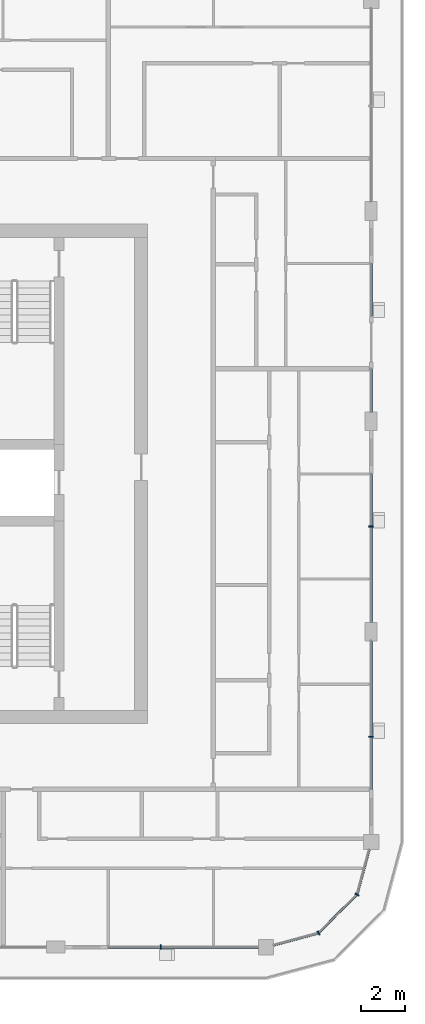
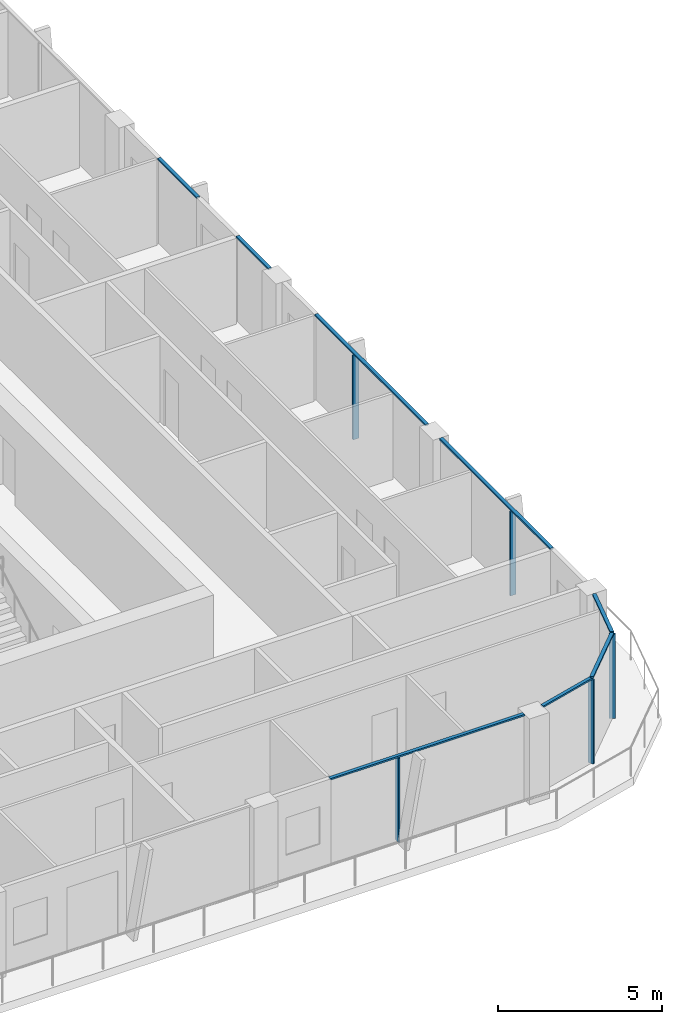
# One storey, part 4 of 21: 13 members, 5 elements without a shape of their own.
"""IFC4 building model written with IfcOpenShell, lengths in metres."""

from ifc_helpers import new_model, si_unit, direction, frame, origin, origin_2d, place, context, subcontext, project, spatial, rectangle, extrude, material, layer, layer_set, material_profile, profile_set, type_object, element, aggregate, save


model = new_model("IFC4")

# Units and contexts
model_context = context("Model", 3, precision=1e-05, world=origin(), true_north=direction((0.0, 1.0)))
body_context = subcontext(model_context, "Body", "Model", "MODEL_VIEW")
ifc_project = project(units=[si_unit("LENGTHUNIT", "METRE"), si_unit("AREAUNIT", "SQUARE_METRE"), si_unit("VOLUMEUNIT", "CUBIC_METRE"), si_unit("PLANEANGLEUNIT", "RADIAN"), si_unit("MASSUNIT", "GRAM", prefix="KILO")], contexts=[model_context])

# Site, building, storey
site_placement = place(None, origin())
site = spatial("IfcSite", under=ifc_project, at=site_placement, CompositionType="ELEMENT")
building_placement = place(site_placement, origin())
building = spatial("IfcBuilding", under=site, at=building_placement, Name="Madar Terraces", CompositionType="ELEMENT")
storey_placement = place(building_placement, frame((0.0, 0.0, 242.199951171875)))
storey = spatial("IfcBuildingStorey", under=building, at=storey_placement, Name="L63", CompositionType="ELEMENT", Elevation=242.199951171875)

# Curtain wall, member
ifc_material_1 = material(Name="Glass, ceramic frit dark grey, with black aluminium frame", Category="aluminium")
ifc_layer = layer(ifc_material_1, 0.199951171875)
ifc_layer_set = layer_set([ifc_layer], Name="Facade curtain wall, fritted glass")
curtain_wall_type = type_object("IfcCurtainWallType", Name="Facade curtain wall, fritted glass", PredefinedType="NOTDEFINED", material=ifc_layer_set)
curtain_wall_1_placement = place(storey_placement, origin())
curtain_wall_1 = element("IfcCurtainWall", 1, at=curtain_wall_1_placement, inside=storey, type_object=curtain_wall_type, Name="Outer skin curtain wall south bay 5", PredefinedType="NOTDEFINED")
ifc_material_2 = material(Name="Aluminium, black anodised", Category="aluminium")
ifc_material_profile_1 = material_profile(ifc_material_2, rectangle(XDim=0.199951171875, YDim=0.06005859375, at=origin_2d()), Name="Facade mullion 60x200")
ifc_profile_set_1 = profile_set([ifc_material_profile_1], Name="Aluminium, black anodised")
member_type_1 = type_object("IfcMemberType", Name="Facade mullion 60x200", PredefinedType="MULLION", material=ifc_profile_set_1)
member_1_placement = place(storey_placement, frame((48.0, 4.800048828125, 0.0), z_axis=(0.0, 0.0, 1.0), x_axis=(0.0, 1.0, 0.0)))
member_1 = element("IfcMember", 2, at=member_1_placement, type_object=member_type_1, Name="Mullion 1", PredefinedType="MULLION", context=body_context, shape_type="SweptSolid", body=[
    extrude(rectangle(XDim=0.199951171875, YDim=0.06005859375, at=origin_2d()), origin(), (0.0, 0.0, 1.0), 3.14013671875),
])

curtain_wall_2_placement = place(storey_placement, origin())
curtain_wall_2 = element("IfcCurtainWall", 3, at=curtain_wall_2_placement, inside=storey, type_object=curtain_wall_type, Name="Outer skin curtain wall east bay 1", PredefinedType="NOTDEFINED")
member_2_placement = place(storey_placement, frame((57.60009765625, 14.39990234375, 0.0), z_axis=(0.0, 0.0, 1.0), x_axis=(-1.0, 0.0, 0.0)))
member_2 = element("IfcMember", 4, at=member_2_placement, type_object=member_type_1, Name="Mullion 1", PredefinedType="MULLION", context=body_context, shape_type="SweptSolid", body=[
    extrude(rectangle(XDim=0.199951171875, YDim=0.06005859375, at=origin_2d()), origin(), (0.0, 0.0, 1.0), 3.14013671875),
])

curtain_wall_3_placement = place(storey_placement, origin())
curtain_wall_3 = element("IfcCurtainWall", 5, at=curtain_wall_3_placement, inside=storey, type_object=curtain_wall_type, Name="Outer skin curtain wall east bay 2", PredefinedType="NOTDEFINED")
member_3_placement = place(storey_placement, frame((57.60009765625, 24.0, 0.0), z_axis=(0.0, 0.0, 1.0), x_axis=(-1.0, 0.0, 0.0)))
member_3 = element("IfcMember", 6, at=member_3_placement, type_object=member_type_1, Name="Mullion 1", PredefinedType="MULLION", context=body_context, shape_type="SweptSolid", body=[
    extrude(rectangle(XDim=0.199951171875, YDim=0.06005859375, at=origin_2d()), origin(), (0.0, 0.0, 1.0), 3.14013671875),
])

# Curtain wall, members
curtain_wall_4_placement = place(storey_placement, origin())
curtain_wall_4 = element("IfcCurtainWall", 7, at=curtain_wall_4_placement, inside=storey, type_object=curtain_wall_type, Name="Outer skin curtain wall south-east corner", PredefinedType="NOTDEFINED")
member_4_placement = place(storey_placement, frame((55.199951171875, 5.443115234375, 0.0), z_axis=(0.0, 0.0, 1.0), x_axis=(-0.499999989586, 0.866025409797, 0.0)))
member_4 = element("IfcMember", 8, at=member_4_placement, type_object=member_type_1, Name="Mullion 1", PredefinedType="MULLION", context=body_context, shape_type="SweptSolid", body=[
    extrude(rectangle(XDim=0.199951171875, YDim=0.06005859375, at=origin_2d()), origin(), (0.0, 0.0, 1.0), 3.14013671875),
])
member_5_placement = place(storey_placement, frame((56.95703125, 7.199951171875, 0.0), z_axis=(0.0, 0.0, 1.0), x_axis=(-0.866025409797, 0.499999989586, 0.0)))
member_5 = element("IfcMember", 9, at=member_5_placement, type_object=member_type_1, Name="Mullion 2", PredefinedType="MULLION", context=body_context, shape_type="SweptSolid", body=[
    extrude(rectangle(XDim=0.199951171875, YDim=0.06005859375, at=origin_2d()), origin(), (0.0, 0.0, 1.0), 3.14013671875),
])

# Member
ifc_material_3 = material(Name="Aluminium, black anodised", Category="aluminium")
ifc_material_profile_2 = material_profile(ifc_material_3, rectangle(XDim=0.1201171875, YDim=0.06005859375, at=origin_2d()), Name="Facade transom 60x120")
ifc_profile_set_2 = profile_set([ifc_material_profile_2], Name="Aluminium, black anodised")
member_type_2 = type_object("IfcMemberType", Name="Facade transom 60x120", PredefinedType="USERDEFINED", material=ifc_profile_set_2)
member_6_placement = place(storey_placement, frame((45.60009765625, 4.800048828125, 3.170166015625), z_axis=(1.0, 0.0, 0.0), x_axis=(0.0, 1.0, 0.0)))
member_6 = element("IfcMember", 10, at=member_6_placement, type_object=member_type_2, Name="Transom 1", ObjectType="TRANSOM", PredefinedType="USERDEFINED", context=body_context, shape_type="SweptSolid", body=[
    extrude(rectangle(XDim=0.1201171875, YDim=0.06005859375, at=origin_2d()), origin(), (0.0, 0.0, 1.0), 6.849853515625),
])

aggregate(curtain_wall_1, [member_1, member_6])

member_7_placement = place(storey_placement, frame((57.60009765625, 12.0, 3.170166015625), z_axis=(0.0, 1.0, 0.0), x_axis=(-1.0, 0.0, 0.0)))
member_7 = element("IfcMember", 11, at=member_7_placement, type_object=member_type_2, Name="Transom 1", ObjectType="TRANSOM", PredefinedType="USERDEFINED", context=body_context, shape_type="SweptSolid", body=[
    extrude(rectangle(XDim=0.1201171875, YDim=0.06005859375, at=origin_2d()), origin(), (0.0, 0.0, 1.0), 6.77490234375),
])

aggregate(curtain_wall_2, [member_2, member_7])

member_8_placement = place(storey_placement, frame((57.60009765625, 19.625, 3.170166015625), z_axis=(0.0, 1.0, 0.0), x_axis=(-1.0, 0.0, 0.0)))
member_8 = element("IfcMember", 12, at=member_8_placement, type_object=member_type_2, Name="Transom 1", ObjectType="TRANSOM", PredefinedType="USERDEFINED", context=body_context, shape_type="SweptSolid", body=[
    extrude(rectangle(XDim=0.1201171875, YDim=0.06005859375, at=origin_2d()), origin(), (0.0, 0.0, 1.0), 6.77490234375),
])

aggregate(curtain_wall_3, [member_3, member_8])

# Curtain wall, members
curtain_wall_5_placement = place(storey_placement, origin())
curtain_wall_5 = element("IfcCurtainWall", 13, at=curtain_wall_5_placement, inside=storey, type_object=curtain_wall_type, Name="Outer skin curtain wall east bay 3", PredefinedType="NOTDEFINED")
member_9_placement = place(storey_placement, frame((57.60009765625, 29.22509765625, 3.170166015625), z_axis=(0.0, 1.0, 0.0), x_axis=(-1.0, 0.0, 0.0)))
member_9 = element("IfcMember", 14, at=member_9_placement, type_object=member_type_2, Name="Transom 1", ObjectType="TRANSOM", PredefinedType="USERDEFINED", context=body_context, shape_type="SweptSolid", body=[
    extrude(rectangle(XDim=0.1201171875, YDim=0.06005859375, at=origin_2d()), origin(), (0.0, 0.0, 1.0), 1.974853515625),
])
member_10_placement = place(storey_placement, frame((57.60009765625, 33.60009765625, 3.170166015625), z_axis=(0.0, 1.0, 0.0), x_axis=(-1.0, 0.0, 0.0)))
member_10 = element("IfcMember", 15, at=member_10_placement, type_object=member_type_2, Name="Transom 2", ObjectType="TRANSOM", PredefinedType="USERDEFINED", context=body_context, shape_type="SweptSolid", body=[
    extrude(rectangle(XDim=0.1201171875, YDim=0.06005859375, at=origin_2d()), origin(), (0.0, 0.0, 1.0), 2.39990234375),
])
aggregate(curtain_wall_5, [member_9, member_10])

# Member
member_11_placement = place(storey_placement, frame((53.14990234375, 4.893798828125, 3.170166015625), z_axis=(0.965936074212, 0.258780796304, 0.0), x_axis=(-0.258780796304, 0.965936074212, 0.0)))
member_11 = element("IfcMember", 16, at=member_11_placement, type_object=member_type_2, Name="Transom 1", ObjectType="TRANSOM", PredefinedType="USERDEFINED", context=body_context, shape_type="SweptSolid", body=[
    extrude(rectangle(XDim=0.1201171875, YDim=0.06005859375, at=origin_2d()), origin(), (0.0, 0.0, 1.0), 2.092529296875),
])

member_12_placement = place(storey_placement, frame((55.22119140625, 5.46435546875, 3.170166015625), z_axis=(0.707157125196, 0.707056433593, 0.0), x_axis=(-0.707056433593, 0.707157125196, 0.0)))
member_12 = element("IfcMember", 17, at=member_12_placement, type_object=member_type_2, Name="Transom 2", ObjectType="TRANSOM", PredefinedType="USERDEFINED", context=body_context, shape_type="SweptSolid", body=[
    extrude(rectangle(XDim=0.1201171875, YDim=0.06005859375, at=origin_2d()), origin(), (0.0, 0.0, 1.0), 2.424560546875),
])

member_13_placement = place(storey_placement, frame((56.964599609375, 7.22900390625, 3.170166015625), z_axis=(0.258809963731, 0.965928259589, 0.0), x_axis=(-0.965928259589, 0.258809963731, 0.0)))
member_13 = element("IfcMember", 18, at=member_13_placement, type_object=member_type_2, Name="Transom 3", ObjectType="TRANSOM", PredefinedType="USERDEFINED", context=body_context, shape_type="SweptSolid", body=[
    extrude(rectangle(XDim=0.1201171875, YDim=0.06005859375, at=origin_2d()), origin(), (0.0, 0.0, 1.0), 2.09228515625),
])

aggregate(curtain_wall_4, [member_4, member_11, member_5, member_12, member_13])

save(model, "model.ifc")
